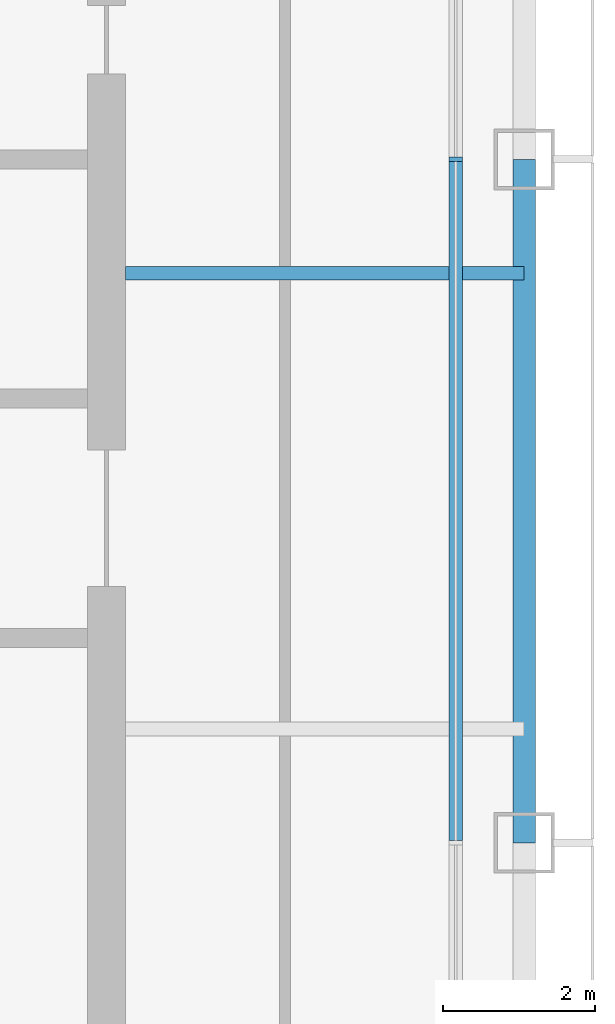
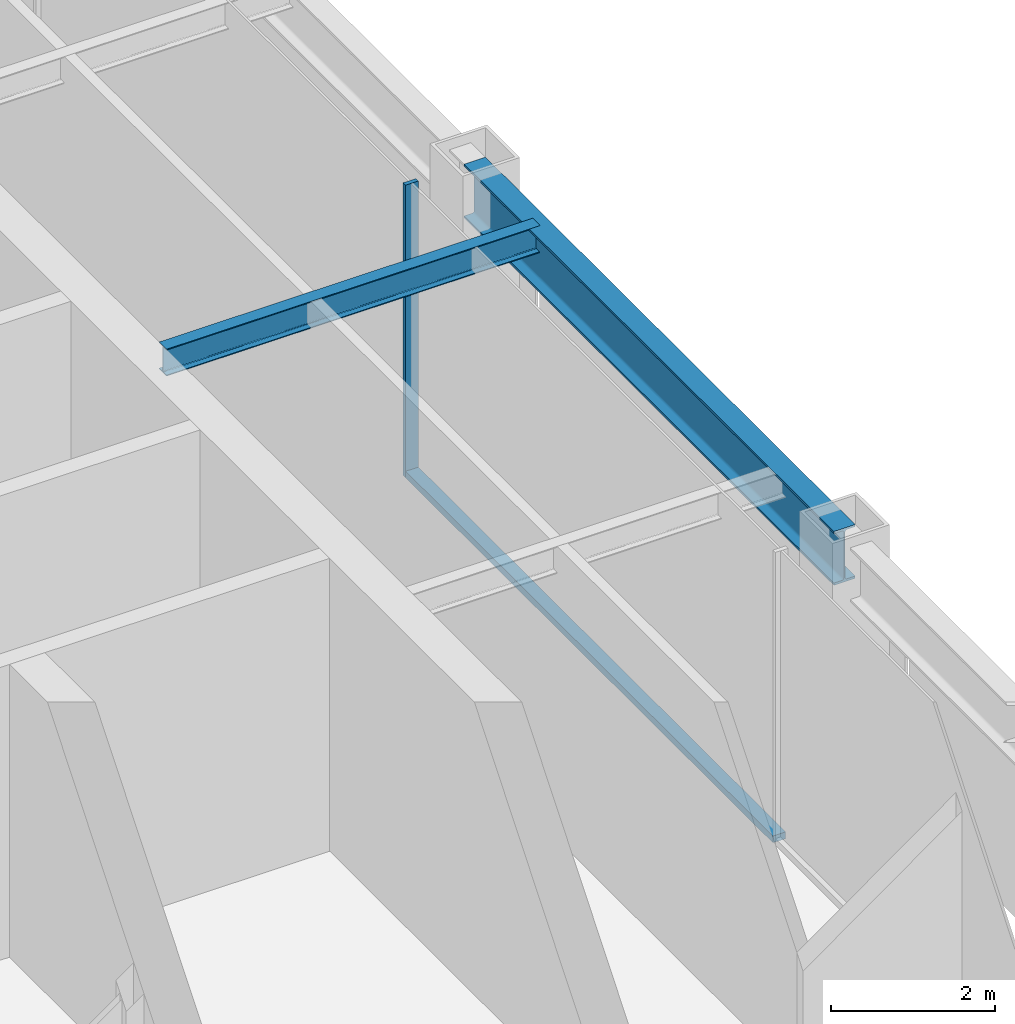
# One storey, part 5 of 23: 2 beams, 2 members, 1 element without a shape of its own.
"""IFC4 building model written with IfcOpenShell, lengths in metres."""

from ifc_helpers import new_model, si_unit, direction, frame, origin, origin_2d, place, context, subcontext, project, spatial, rectangle, i_section, extrude, material, layer, layer_set, material_profile, profile_set, type_object, element, aggregate, save


model = new_model("IFC4")

# Units and contexts
model_context = context("Model", 3, precision=1e-05, world=origin(), true_north=direction((0.0, 1.0)))
body_context = subcontext(model_context, "Body", "Model", "MODEL_VIEW")
ifc_project = project(units=[si_unit("LENGTHUNIT", "METRE"), si_unit("AREAUNIT", "SQUARE_METRE"), si_unit("VOLUMEUNIT", "CUBIC_METRE"), si_unit("PLANEANGLEUNIT", "RADIAN"), si_unit("MASSUNIT", "GRAM", prefix="KILO")], contexts=[model_context])

# Site, building, storey
site_placement = place(None, origin())
site = spatial("IfcSite", under=ifc_project, at=site_placement, CompositionType="ELEMENT")
building_placement = place(site_placement, origin())
building = spatial("IfcBuilding", under=site, at=building_placement, Name="Siwar Civic Tower", CompositionType="ELEMENT")
storey_placement = place(building_placement, frame((0.0, 0.0, 269.199951171875)))
storey = spatial("IfcBuildingStorey", under=building, at=storey_placement, Name="L58", CompositionType="ELEMENT", Elevation=269.199951171875)

# Curtain wall, members
ifc_material_1 = material(Name="Aluminium and glass", Category="aluminium")
ifc_layer = layer(ifc_material_1, 0.179931640625)
ifc_layer_set = layer_set([ifc_layer], Name="Aluminium and glass")
curtain_wall_type = type_object("IfcCurtainWallType", Name="ENV-CW-C", PredefinedType="NOTDEFINED", material=ifc_layer_set)
curtain_wall_placement = place(storey_placement, origin())
curtain_wall = element("IfcCurtainWall", 1, at=curtain_wall_placement, inside=storey, type_object=curtain_wall_type, Name="Curtain wall C E", PredefinedType="NOTDEFINED")
ifc_material_2 = material(Name="Aluminium 6063-T6", Category="aluminium")
ifc_material_profile_1 = material_profile(ifc_material_2, rectangle(XDim=0.179931640625, YDim=0.06005859375, at=origin_2d()), Name="AL 180x60")
ifc_profile_set_1 = profile_set([ifc_material_profile_1], Name="Aluminium 6063-T6")
member_type_1 = type_object("IfcMemberType", Name="ENV-MULLION-C", PredefinedType="MULLION", material=ifc_profile_set_1)
member_1_placement = place(storey_placement, frame((26.10009765625, 0.0, 0.0), z_axis=(0.0, 0.0, 1.0), x_axis=(-1.0, 0.0, 0.0)))
member_1 = element("IfcMember", 2, at=member_1_placement, type_object=member_type_1, Name="Mullion C E 3", PredefinedType="MULLION", context=body_context, shape_type="SweptSolid", body=[
    extrude(rectangle(XDim=0.179931640625, YDim=0.06005859375, at=origin_2d()), origin(), (0.0, 0.0, 1.0), 4.35009765625),
])
ifc_material_3 = material(Name="Aluminium 6063-T6", Category="aluminium")
ifc_material_profile_2 = material_profile(ifc_material_3, rectangle(XDim=0.179931640625, YDim=0.10009765625, at=origin_2d()), Name="AL 180x100")
ifc_profile_set_2 = profile_set([ifc_material_profile_2], Name="Aluminium 6063-T6")
member_type_2 = type_object("IfcMemberType", Name="ENV-TRANSOM-C", PredefinedType="USERDEFINED", material=ifc_profile_set_2)
member_2_placement = place(storey_placement, frame((26.10009765625, -8.969970703125, 0.050048828125), z_axis=(0.0, 1.0, 0.0), x_axis=(-1.0, 0.0, 0.0)))
member_2 = element("IfcMember", 3, at=member_2_placement, type_object=member_type_2, Name="Transom C E 2", ObjectType="TRANSOM", PredefinedType="USERDEFINED", context=body_context, shape_type="SweptSolid", body=[
    extrude(rectangle(XDim=0.179931640625, YDim=0.10009765625, at=origin_2d()), origin(), (0.0, 0.0, 1.0), 8.93994140625),
])
aggregate(curtain_wall, [member_1, member_2])

# Beams
ifc_material_4 = material(Name="Steel S355", Category="steel")
ifc_material_profile_3 = material_profile(ifc_material_4, i_section(OverallWidth=0.179931640625, OverallDepth=0.39990234375, WebThickness=0.008544921875, FlangeThickness=0.013427734375, FilletRadius=0.02099609375, at=origin_2d()), Name="IPE400")
ifc_profile_set_3 = profile_set([ifc_material_profile_3], Name="Steel S355")
beam_type_1 = type_object("IfcBeamType", Name="STR-FB-IPE400", PredefinedType="JOIST", material=ifc_profile_set_3)
beam_1_placement = place(storey_placement, frame((21.75, -1.5, 4.150146484375), z_axis=(1.0, 0.0, 0.0), x_axis=(0.0, 1.0, 0.0)))
element("IfcBeam", 4, at=beam_1_placement, inside=storey, type_object=beam_type_1, Name="L58/bm/F024", PredefinedType="JOIST", context=body_context, shape_type="SweptSolid", body=[
    extrude(i_section(OverallWidth=0.179931640625, OverallDepth=0.39990234375, WebThickness=0.008544921875, FlangeThickness=0.013427734375, FilletRadius=0.02099609375, at=origin_2d()), origin(), (0.0, 0.0, 1.0), 5.25),
])
ifc_material_5 = material(Name="Steel S355", Category="steel")
ifc_material_profile_4 = material_profile(ifc_material_5, i_section(OverallWidth=0.300048828125, OverallDepth=0.800048828125, WebThickness=0.017578125, FlangeThickness=0.032958984375, FilletRadius=0.030029296875, at=origin_2d()), Name="HEB800")
ifc_profile_set_4 = profile_set([ifc_material_profile_4], Name="Steel S355")
beam_type_2 = type_object("IfcBeamType", Name="STR-SB-HEB800", PredefinedType="BEAM", material=ifc_profile_set_4)
beam_2_placement = place(storey_placement, frame((27.0, -9.0, 3.949951171875), z_axis=(0.0, 1.0, 0.0), x_axis=(-1.0, 0.0, 0.0)))
element("IfcBeam", 5, at=beam_2_placement, inside=storey, type_object=beam_type_2, Name="L58/bm/SE-1", PredefinedType="BEAM", context=body_context, shape_type="SweptSolid", body=[
    extrude(i_section(OverallWidth=0.300048828125, OverallDepth=0.800048828125, WebThickness=0.017578125, FlangeThickness=0.032958984375, FilletRadius=0.030029296875, at=origin_2d()), origin(), (0.0, 0.0, 1.0), 9.0),
])

save(model, "model.ifc")
